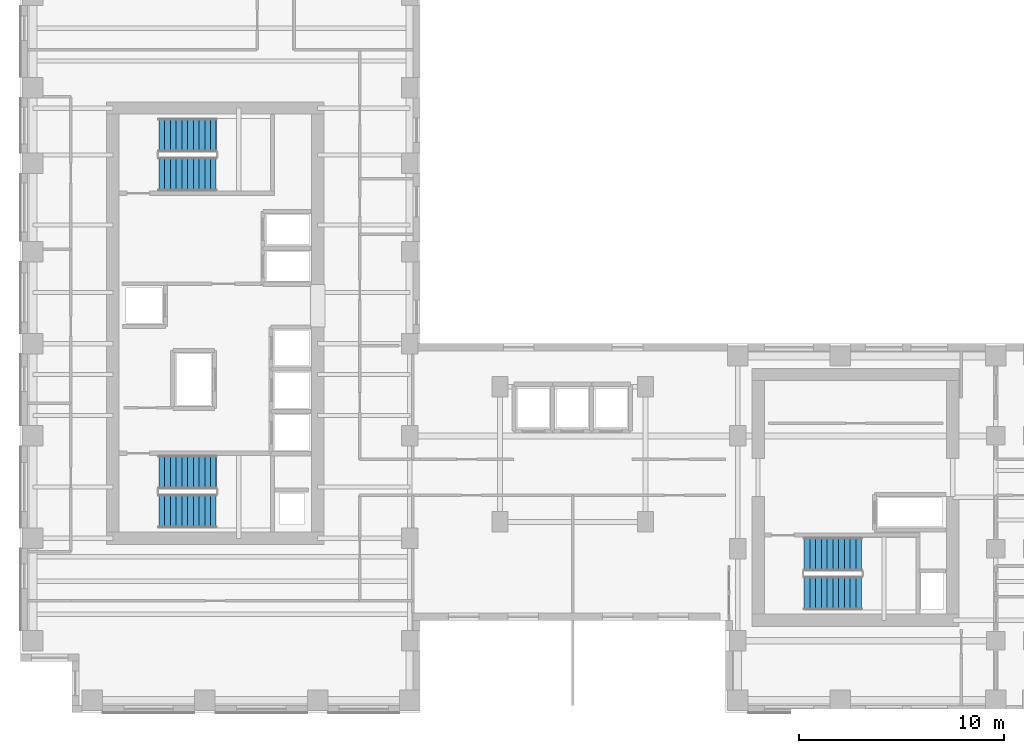
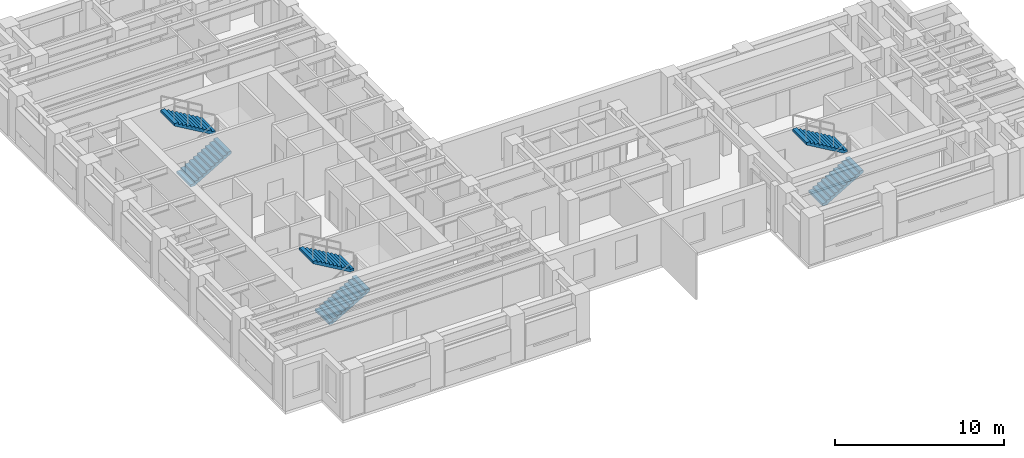
# One storey, part 10 of 12: 6 stair flights, 3 elements without a shape of their own.
"""IFC4 building model written with IfcOpenShell, lengths in metres."""

from ifc_helpers import new_model, si_unit, direction, frame, origin, place, context, subcontext, project, spatial, polyline, outline, extrude, source, transform, mapped, material, type_object, element, aggregate, save


model = new_model("IFC4")

# Units and contexts
model_context = context("Model", 3, precision=1e-05, world=origin(), true_north=direction((0.0, 1.0)))
body_context = subcontext(model_context, "Body", "Model", "MODEL_VIEW")
ifc_project = project(units=[si_unit("LENGTHUNIT", "METRE"), si_unit("AREAUNIT", "SQUARE_METRE"), si_unit("VOLUMEUNIT", "CUBIC_METRE"), si_unit("PLANEANGLEUNIT", "RADIAN"), si_unit("MASSUNIT", "GRAM", prefix="KILO")], contexts=[model_context])

# Site, building, storey
site_placement = place(None, origin())
site = spatial("IfcSite", under=ifc_project, at=site_placement, CompositionType="ELEMENT")
building_placement = place(site_placement, origin())
building = spatial("IfcBuilding", under=site, at=building_placement, Name="Kharzan Plaza Tower", CompositionType="ELEMENT")
storey_placement = place(building_placement, frame((0.0, 0.0, 146.699951171875)))
storey = spatial("IfcBuildingStorey", under=building, at=storey_placement, Name="L39", CompositionType="ELEMENT", Elevation=146.699951171875)

# Stair, stair flights
ifc_material = material(Name="Concrete C40/50", Category="concrete")
stair_type_1 = type_object("IfcStairType", Name="STR-ST-1", PredefinedType="HALF_TURN_STAIR", material=ifc_material)
stair_1_placement = place(storey_placement, origin())
stair_1 = element("IfcStair", 1, at=stair_1_placement, inside=storey, type_object=stair_type_1, Name="L39 Protected Exit Stair ST-1", PredefinedType="HALF_TURN_STAIR")
stair_flight_type = type_object("IfcStairFlightType", Name="SFL-1650-R173", PredefinedType="STRAIGHT", material=ifc_material)
shared_shape = source(origin(), body_context, "Body", "SweptSolid", [
    extrude(outline(polyline([(-0.0029296875, -0.011962890625), (-0.0029296875, 0.0), (0.0, 0.0), (0.0, 0.16357421875), (0.280029296875, 0.16357421875), (0.280029296875, 0.3271484375), (0.56005859375, 0.3271484375), (0.56005859375, 0.49072265625), (0.840087890625, 0.49072265625), (0.840087890625, 0.654296875), (1.1201171875, 0.654296875), (1.1201171875, 0.81787109375), (1.400146484375, 0.81787109375), (1.400146484375, 0.9814453125), (1.68017578125, 0.9814453125), (1.68017578125, 1.14501953125), (1.960205078125, 1.14501953125), (1.960205078125, 1.30859375), (2.240234375, 1.30859375), (2.240234375, 1.47216796875), (2.520263671875, 1.47216796875), (2.520263671875, 1.6357421875), (2.80029296875, 1.6357421875), (2.80029296875, 1.79931640625), (2.80029296875, 1.462158203125), (0.297119140625, 0.0), (0.297119140625, -0.011962890625), (-0.0029296875, -0.011962890625)])), frame((0.0, 0.824951171875, 0.0), z_axis=(0.0, -1.0, 0.0), x_axis=(1.0, 0.0, 0.0)), (0.0, 0.0, 1.0), 1.64990234375),
])
stair_flight_1_placement = place(storey_placement, frame((6.75, 9.824951171875, 0.0), z_axis=(0.0, 0.0, 1.0), x_axis=(1.0, 0.0, 0.0)))
stair_flight_1 = element("IfcStairFlight", 2, at=stair_flight_1_placement, type_object=stair_flight_type, Name="ST-1 flight 1", NumberOfRisers=11, NumberOfTreads=10, PredefinedType="STRAIGHT", RiserHeight=0.163636364, TreadLength=0.28, context=body_context, shape_type="MappedRepresentation", body=[
    mapped(shared_shape, transform((0.0, 0.0, 0.0), x_axis=(1.0, 0.0, 0.0), y_axis=(0.0, 1.0, 0.0), z_axis=(0.0, 0.0, 1.0))),
])
stair_flight_2_placement = place(storey_placement, frame((9.550048828125, 11.72509765625, 1.800048828125), z_axis=(0.0, 0.0, 1.0), x_axis=(-1.0, 0.0, 0.0)))
stair_flight_2 = element("IfcStairFlight", 3, at=stair_flight_2_placement, type_object=stair_flight_type, Name="ST-1 flight 2", NumberOfRisers=11, NumberOfTreads=10, PredefinedType="STRAIGHT", RiserHeight=0.163636364, TreadLength=0.28, context=body_context, shape_type="MappedRepresentation", body=[
    mapped(shared_shape, transform((0.0, 0.0, 0.0), x_axis=(1.0, 0.0, 0.0), y_axis=(0.0, 1.0, 0.0), z_axis=(0.0, 0.0, 1.0))),
])
aggregate(stair_1, [stair_flight_1, stair_flight_2])

stair_type_2 = type_object("IfcStairType", Name="STR-ST-2", PredefinedType="HALF_TURN_STAIR", material=ifc_material)
stair_2_placement = place(storey_placement, origin())
stair_2 = element("IfcStair", 4, at=stair_2_placement, inside=storey, type_object=stair_type_2, Name="L39 Protected Exit Stair ST-2", PredefinedType="HALF_TURN_STAIR")
stair_flight_3_placement = place(storey_placement, frame((6.75, 26.27490234375, 0.0), z_axis=(0.0, 0.0, 1.0), x_axis=(1.0, 0.0, 0.0)))
stair_flight_3 = element("IfcStairFlight", 5, at=stair_flight_3_placement, type_object=stair_flight_type, Name="ST-2 flight 1", NumberOfRisers=11, NumberOfTreads=10, PredefinedType="STRAIGHT", RiserHeight=0.163636364, TreadLength=0.28, context=body_context, shape_type="MappedRepresentation", body=[
    mapped(shared_shape, transform((0.0, 0.0, 0.0), x_axis=(1.0, 0.0, 0.0), y_axis=(0.0, 1.0, 0.0), z_axis=(0.0, 0.0, 1.0))),
])
stair_flight_4_placement = place(storey_placement, frame((9.550048828125, 28.175048828125, 1.800048828125), z_axis=(0.0, 0.0, 1.0), x_axis=(-1.0, 0.0, 0.0)))
stair_flight_4 = element("IfcStairFlight", 6, at=stair_flight_4_placement, type_object=stair_flight_type, Name="ST-2 flight 2", NumberOfRisers=11, NumberOfTreads=10, PredefinedType="STRAIGHT", RiserHeight=0.163636364, TreadLength=0.28, context=body_context, shape_type="MappedRepresentation", body=[
    mapped(shared_shape, transform((0.0, 0.0, 0.0), x_axis=(1.0, 0.0, 0.0), y_axis=(0.0, 1.0, 0.0), z_axis=(0.0, 0.0, 1.0))),
])
aggregate(stair_2, [stair_flight_3, stair_flight_4])

stair_type_3 = type_object("IfcStairType", Name="STR-ST-3", PredefinedType="HALF_TURN_STAIR", material=ifc_material)
stair_3_placement = place(storey_placement, origin())
stair_3 = element("IfcStair", 7, at=stair_3_placement, inside=storey, type_object=stair_type_3, Name="L39 Protected Exit Stair ST-3", PredefinedType="HALF_TURN_STAIR")
stair_flight_5_placement = place(storey_placement, frame((38.25, 5.824951171875, 0.0), z_axis=(0.0, 0.0, 1.0), x_axis=(1.0, 0.0, 0.0)))
stair_flight_5 = element("IfcStairFlight", 8, at=stair_flight_5_placement, type_object=stair_flight_type, Name="ST-3 flight 1", NumberOfRisers=11, NumberOfTreads=10, PredefinedType="STRAIGHT", RiserHeight=0.163636364, TreadLength=0.28, context=body_context, shape_type="MappedRepresentation", body=[
    mapped(shared_shape, transform((0.0, 0.0, 0.0), x_axis=(1.0, 0.0, 0.0), y_axis=(0.0, 1.0, 0.0), z_axis=(0.0, 0.0, 1.0))),
])
stair_flight_6_placement = place(storey_placement, frame((41.050048828125, 7.72509765625, 1.800048828125), z_axis=(0.0, 0.0, 1.0), x_axis=(-1.0, 0.0, 0.0)))
stair_flight_6 = element("IfcStairFlight", 9, at=stair_flight_6_placement, type_object=stair_flight_type, Name="ST-3 flight 2", NumberOfRisers=11, NumberOfTreads=10, PredefinedType="STRAIGHT", RiserHeight=0.163636364, TreadLength=0.28, context=body_context, shape_type="MappedRepresentation", body=[
    mapped(shared_shape, transform((0.0, 0.0, 0.0), x_axis=(1.0, 0.0, 0.0), y_axis=(0.0, 1.0, 0.0), z_axis=(0.0, 0.0, 1.0))),
])
aggregate(stair_3, [stair_flight_5, stair_flight_6])

save(model, "model.ifc")
